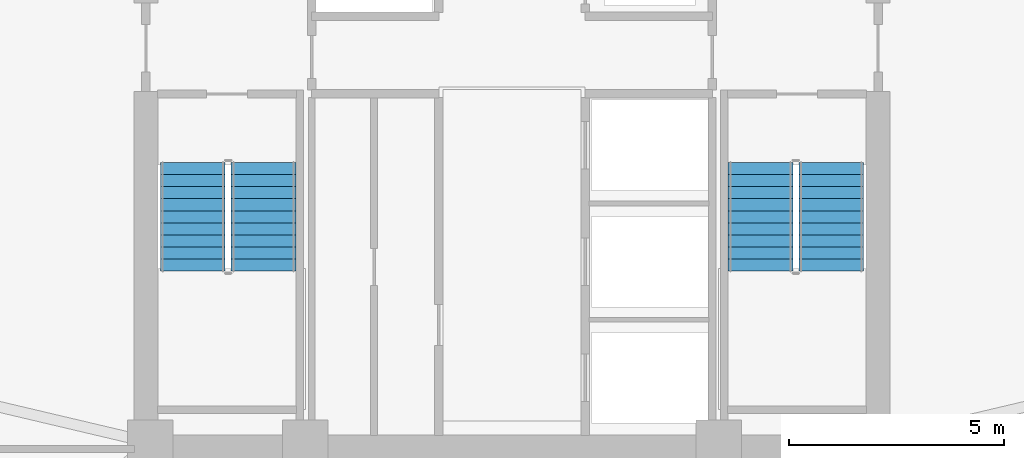
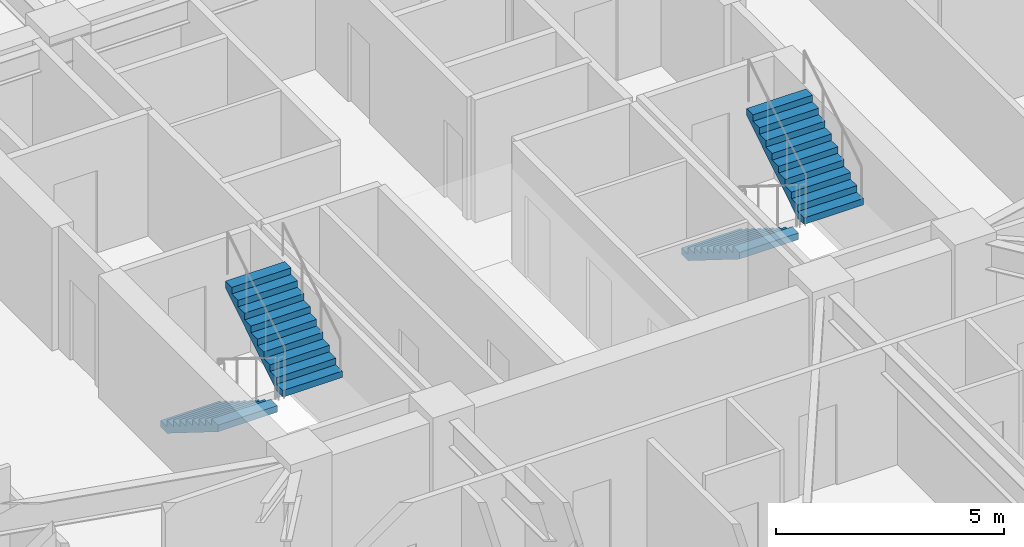
# One storey, part 6 of 11: 4 stair flights, 2 elements without a shape of their own.
"""IFC4 building model written with IfcOpenShell, lengths in metres."""

from ifc_helpers import new_model, si_unit, direction, frame, origin, place, context, subcontext, project, spatial, polyline, outline, extrude, material, type_object, element, aggregate, save


model = new_model("IFC4")

# Units and contexts
model_context = context("Model", 3, precision=1e-05, world=origin(), true_north=direction((0.0, 1.0)))
body_context = subcontext(model_context, "Body", "Model", "MODEL_VIEW")
ifc_project = project(units=[si_unit("LENGTHUNIT", "METRE"), si_unit("AREAUNIT", "SQUARE_METRE"), si_unit("VOLUMEUNIT", "CUBIC_METRE"), si_unit("PLANEANGLEUNIT", "RADIAN"), si_unit("MASSUNIT", "GRAM", prefix="KILO")], contexts=[model_context])

# Site, building, storey
site_placement = place(None, origin())
site = spatial("IfcSite", under=ifc_project, at=site_placement, CompositionType="ELEMENT")
building_placement = place(site_placement, origin())
building = spatial("IfcBuilding", under=site, at=building_placement, Name="Cairnveth Concourse Tower", CompositionType="ELEMENT")
storey_placement = place(building_placement, frame((0.0, 0.0, 141.0)))
storey = spatial("IfcBuildingStorey", under=building, at=storey_placement, Name="L38", CompositionType="ELEMENT", Elevation=141.0)

# Stair, stair flights
ifc_material = material(Name="Precast concrete N50 (50 MPa)", Category="concrete")
stair_type = type_object("IfcStairType", Name="CORE DOG-LEG FIRE STAIR 1500", PredefinedType="HALF_TURN_STAIR", material=ifc_material)
stair_1_placement = place(storey_placement, origin())
stair_1 = element("IfcStair", 1, at=stair_1_placement, inside=storey, type_object=stair_type, Name="L38 Fire-Isolated Stair ST-1", PredefinedType="HALF_TURN_STAIR")
stair_flight_type = type_object("IfcStairFlightType", Name="PRECAST CONCRETE STAIR FLIGHT 1500", PredefinedType="STRAIGHT", material=ifc_material)
stair_flight_1_placement = place(storey_placement, frame((44.590087890625, 37.10009765625, 0.0), z_axis=(0.0, 0.0, 1.0), x_axis=(0.0, -1.0, 0.0)))
stair_flight_1 = element("IfcStairFlight", 2, at=stair_flight_1_placement, type_object=stair_flight_type, Name="ST-1 flight 1", NumberOfRisers=10, NumberOfTreads=9, PredefinedType="STRAIGHT", RiserHeight=0.175, TreadLength=0.28, context=body_context, shape_type="SweptSolid", body=[
    extrude(outline(polyline([(0.0, 0.0), (0.0, 0.175048828125), (0.280029296875, 0.175048828125), (0.280029296875, 0.35009765625), (0.56005859375, 0.35009765625), (0.56005859375, 0.52490234375), (0.840087890625, 0.52490234375), (0.840087890625, 0.699951171875), (1.1201171875, 0.699951171875), (1.1201171875, 0.875), (1.39990234375, 0.875), (1.39990234375, 1.050048828125), (1.679931640625, 1.050048828125), (1.679931640625, 1.22509765625), (1.9599609375, 1.22509765625), (1.9599609375, 1.39990234375), (2.239990234375, 1.39990234375), (2.239990234375, 1.574951171875), (2.52001953125, 1.574951171875), (2.52001953125, 1.75), (2.52001953125, 1.398193359375), (0.28271484375, 0.0), (0.0, 0.0)])), frame((0.0, 0.75, 0.0), z_axis=(0.0, -1.0, 0.0), x_axis=(1.0, 0.0, 0.0)), (0.0, 0.0, 1.0), 1.5),
])
stair_flight_2_placement = place(storey_placement, frame((46.22998046875, 34.580078125, 1.75), z_axis=(0.0, 0.0, 1.0), x_axis=(0.0, 1.0, 0.0)))
stair_flight_2 = element("IfcStairFlight", 3, at=stair_flight_2_placement, type_object=stair_flight_type, Name="ST-1 flight 2", NumberOfRisers=10, NumberOfTreads=9, PredefinedType="STRAIGHT", RiserHeight=0.175, TreadLength=0.28, context=body_context, shape_type="SweptSolid", body=[
    extrude(outline(polyline([(0.0, 0.0), (0.0, 0.175048828125), (0.280029296875, 0.175048828125), (0.280029296875, 0.35009765625), (0.56005859375, 0.35009765625), (0.56005859375, 0.52490234375), (0.840087890625, 0.52490234375), (0.840087890625, 0.699951171875), (1.1201171875, 0.699951171875), (1.1201171875, 0.875), (1.39990234375, 0.875), (1.39990234375, 1.050048828125), (1.679931640625, 1.050048828125), (1.679931640625, 1.22509765625), (1.9599609375, 1.22509765625), (1.9599609375, 1.39990234375), (2.239990234375, 1.39990234375), (2.239990234375, 1.574951171875), (2.52001953125, 1.574951171875), (2.52001953125, 1.75), (2.52001953125, 1.398193359375), (0.28271484375, 0.0), (0.0, 0.0)])), frame((0.0, 0.75, 0.0), z_axis=(0.0, -1.0, 0.0), x_axis=(1.0, 0.0, 0.0)), (0.0, 0.0, 1.0), 1.5),
])
aggregate(stair_1, [stair_flight_1, stair_flight_2])

stair_2_placement = place(storey_placement, origin())
stair_2 = element("IfcStair", 4, at=stair_2_placement, inside=storey, type_object=stair_type, Name="L38 Fire-Isolated Stair ST-2", PredefinedType="HALF_TURN_STAIR")
stair_flight_3_placement = place(storey_placement, frame((57.77001953125, 37.10009765625, 0.0), z_axis=(0.0, 0.0, 1.0), x_axis=(0.0, -1.0, 0.0)))
stair_flight_3 = element("IfcStairFlight", 5, at=stair_flight_3_placement, type_object=stair_flight_type, Name="ST-2 flight 1", NumberOfRisers=10, NumberOfTreads=9, PredefinedType="STRAIGHT", RiserHeight=0.175, TreadLength=0.28, context=body_context, shape_type="SweptSolid", body=[
    extrude(outline(polyline([(0.0, 0.0), (0.0, 0.175048828125), (0.280029296875, 0.175048828125), (0.280029296875, 0.35009765625), (0.56005859375, 0.35009765625), (0.56005859375, 0.52490234375), (0.840087890625, 0.52490234375), (0.840087890625, 0.699951171875), (1.1201171875, 0.699951171875), (1.1201171875, 0.875), (1.39990234375, 0.875), (1.39990234375, 1.050048828125), (1.679931640625, 1.050048828125), (1.679931640625, 1.22509765625), (1.9599609375, 1.22509765625), (1.9599609375, 1.39990234375), (2.239990234375, 1.39990234375), (2.239990234375, 1.574951171875), (2.52001953125, 1.574951171875), (2.52001953125, 1.75), (2.52001953125, 1.398193359375), (0.28271484375, 0.0), (0.0, 0.0)])), frame((0.0, 0.75, 0.0), z_axis=(0.0, -1.0, 0.0), x_axis=(1.0, 0.0, 0.0)), (0.0, 0.0, 1.0), 1.5),
])
stair_flight_4_placement = place(storey_placement, frame((59.409912109375, 34.580078125, 1.75), z_axis=(0.0, 0.0, 1.0), x_axis=(0.0, 1.0, 0.0)))
stair_flight_4 = element("IfcStairFlight", 6, at=stair_flight_4_placement, type_object=stair_flight_type, Name="ST-2 flight 2", NumberOfRisers=10, NumberOfTreads=9, PredefinedType="STRAIGHT", RiserHeight=0.175, TreadLength=0.28, context=body_context, shape_type="SweptSolid", body=[
    extrude(outline(polyline([(0.0, 0.0), (0.0, 0.175048828125), (0.280029296875, 0.175048828125), (0.280029296875, 0.35009765625), (0.56005859375, 0.35009765625), (0.56005859375, 0.52490234375), (0.840087890625, 0.52490234375), (0.840087890625, 0.699951171875), (1.1201171875, 0.699951171875), (1.1201171875, 0.875), (1.39990234375, 0.875), (1.39990234375, 1.050048828125), (1.679931640625, 1.050048828125), (1.679931640625, 1.22509765625), (1.9599609375, 1.22509765625), (1.9599609375, 1.39990234375), (2.239990234375, 1.39990234375), (2.239990234375, 1.574951171875), (2.52001953125, 1.574951171875), (2.52001953125, 1.75), (2.52001953125, 1.398193359375), (0.28271484375, 0.0), (0.0, 0.0)])), frame((0.0, 0.75, 0.0), z_axis=(0.0, -1.0, 0.0), x_axis=(1.0, 0.0, 0.0)), (0.0, 0.0, 1.0), 1.5),
])
aggregate(stair_2, [stair_flight_3, stair_flight_4])

save(model, "model.ifc")
